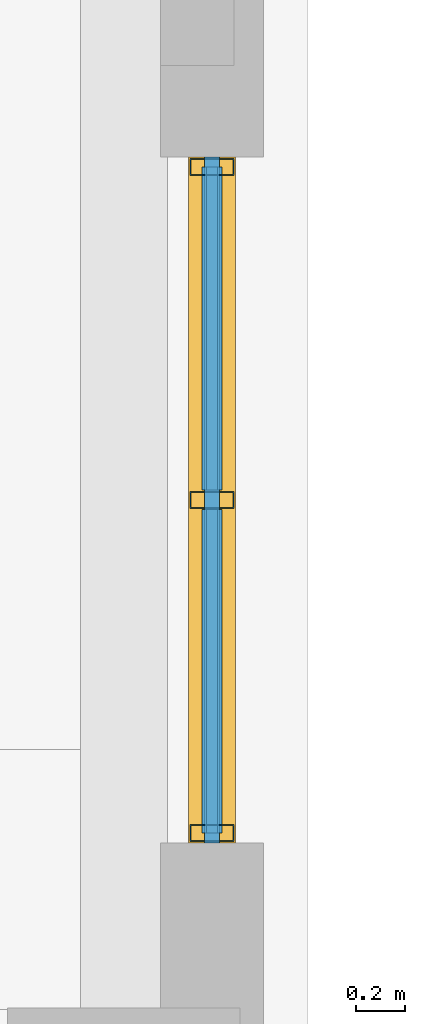
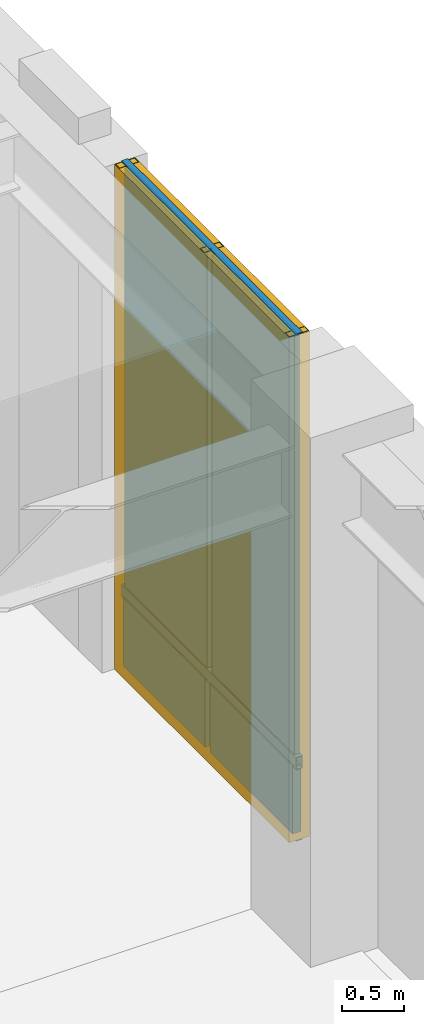
# One storey, part 12 of 18: 6 members, 4 plates, 1 curtain wall.
"""IFC4 building model written with IfcOpenShell, lengths in metres."""

from ifc_helpers import new_model, si_unit, direction, frame, frame_2d, origin, origin_2d, place, context, subcontext, project, spatial, rectangle, hollow_rectangle, extrude, material, layer, layer_set, material_profile, profile_set, type_object, element, aggregate, save


model = new_model("IFC4")

# Units and contexts
model_context = context("Model", 3, precision=1e-05, world=origin(), true_north=direction((0.0, 1.0)))
body_context = subcontext(model_context, "Body", "Model", "MODEL_VIEW")
ifc_project = project(units=[si_unit("LENGTHUNIT", "METRE"), si_unit("AREAUNIT", "SQUARE_METRE"), si_unit("VOLUMEUNIT", "CUBIC_METRE"), si_unit("PLANEANGLEUNIT", "RADIAN"), si_unit("MASSUNIT", "GRAM", prefix="KILO")], contexts=[model_context])

# Member
ifc_material_1 = material(Name="Anodized Aluminium 6063-T6", Category="aluminium")
ifc_material_profile_1 = material_profile(ifc_material_1, hollow_rectangle(XDim=0.070068359375, YDim=0.179931640625, WallThickness=0.00390625, at=origin_2d()), Name="Anodized Aluminium 6063-T6")
ifc_profile_set_1 = profile_set([ifc_material_profile_1], Name="Anodized Aluminium 6063-T6")
member_type_1 = type_object("IfcMemberType", Name="Curtain Wall Mullion 180", PredefinedType="MULLION", material=ifc_profile_set_1)
site_placement = place(None, origin())
building_placement = place(site_placement, origin())
storey_placement = place(building_placement, frame((0.0, 0.0, 150.800048828125)))
member_1_placement = place(storey_placement, frame((38.010009765625, 48.43994140625, 0.0), z_axis=(0.0, 0.0, 1.0), x_axis=(0.0, 1.0, 0.0)))
member_1 = element("IfcMember", 1, at=member_1_placement, type_object=member_type_1, Name="Curtain Wall Mullion CW-L38-E08-2-M01", PredefinedType="MULLION", context=body_context, shape_type="SweptSolid", body=[
    extrude(hollow_rectangle(XDim=0.070068359375, YDim=0.179931640625, WallThickness=0.00390625, at=origin_2d()), origin(), (0.0, 0.0, 1.0), 4.93994140625),
])

member_2_placement = place(storey_placement, frame((38.010009765625, 49.800048828125, 0.0), z_axis=(0.0, 0.0, 1.0), x_axis=(0.0, 1.0, 0.0)))
member_2 = element("IfcMember", 2, at=member_2_placement, type_object=member_type_1, Name="Curtain Wall Mullion CW-L38-E08-2-M02", PredefinedType="MULLION", context=body_context, shape_type="SweptSolid", body=[
    extrude(hollow_rectangle(XDim=0.070068359375, YDim=0.179931640625, WallThickness=0.00390625, at=origin_2d()), origin(), (0.0, 0.0, 1.0), 4.93994140625),
])

member_3_placement = place(storey_placement, frame((38.010009765625, 51.159912109375, 0.0), z_axis=(0.0, 0.0, 1.0), x_axis=(0.0, 1.0, 0.0)))
member_3 = element("IfcMember", 3, at=member_3_placement, type_object=member_type_1, Name="Curtain Wall Mullion CW-L38-E08-2-M03", PredefinedType="MULLION", context=body_context, shape_type="SweptSolid", body=[
    extrude(hollow_rectangle(XDim=0.070068359375, YDim=0.179931640625, WallThickness=0.00390625, at=origin_2d()), origin(), (0.0, 0.0, 1.0), 4.93994140625),
])

ifc_material_profile_2 = material_profile(ifc_material_1, hollow_rectangle(XDim=0.06005859375, YDim=0.1201171875, WallThickness=0.00341796875, at=origin_2d()), Name="Anodized Aluminium 6063-T6")
ifc_profile_set_2 = profile_set([ifc_material_profile_2], Name="Anodized Aluminium 6063-T6")
member_type_2 = type_object("IfcMemberType", Name="Curtain Wall Transom 120", PredefinedType="USERDEFINED", material=ifc_profile_set_2)
member_4_placement = place(storey_placement, frame((38.010009765625, 48.39990234375, 0.050048828125), z_axis=(0.0, 1.0, 0.0), x_axis=(-1.0, 0.0, 0.0)))
member_4 = element("IfcMember", 4, at=member_4_placement, type_object=member_type_2, Name="Curtain Wall Transom CW-L38-E08-2-T01", ObjectType="TRANSOM", PredefinedType="USERDEFINED", context=body_context, shape_type="SweptSolid", body=[
    extrude(hollow_rectangle(XDim=0.06005859375, YDim=0.1201171875, WallThickness=0.00341796875, at=origin_2d()), origin(), (0.0, 0.0, 1.0), 2.800048828125),
])

member_5_placement = place(storey_placement, frame((38.010009765625, 48.39990234375, 0.75), z_axis=(0.0, 1.0, 0.0), x_axis=(-1.0, 0.0, 0.0)))
member_5 = element("IfcMember", 5, at=member_5_placement, type_object=member_type_2, Name="Curtain Wall Transom CW-L38-E08-2-T02", ObjectType="TRANSOM", PredefinedType="USERDEFINED", context=body_context, shape_type="SweptSolid", body=[
    extrude(hollow_rectangle(XDim=0.06005859375, YDim=0.1201171875, WallThickness=0.00341796875, at=origin_2d()), origin(), (0.0, 0.0, 1.0), 2.800048828125),
])

member_6_placement = place(storey_placement, frame((38.010009765625, 48.39990234375, 4.889892578125), z_axis=(0.0, 1.0, 0.0), x_axis=(-1.0, 0.0, 0.0)))
member_6 = element("IfcMember", 6, at=member_6_placement, type_object=member_type_2, Name="Curtain Wall Transom CW-L38-E08-2-T03", ObjectType="TRANSOM", PredefinedType="USERDEFINED", context=body_context, shape_type="SweptSolid", body=[
    extrude(hollow_rectangle(XDim=0.06005859375, YDim=0.1201171875, WallThickness=0.00341796875, at=origin_2d()), origin(), (0.0, 0.0, 1.0), 2.800048828125),
])

# Plate
ifc_material_2 = material(Name="Triple Low-E Argon Glazing", Category="glass")
ifc_layer_1 = layer(ifc_material_2, 0.0439453125, Name="Triple Low-E Argon Glazing")
ifc_layer_set_1 = layer_set([ifc_layer_1], Name="Triple Low-E Argon Glazing")
plate_type_1 = type_object("IfcPlateType", Name="Plate CWGlazing 44", PredefinedType="CURTAIN_PANEL", material=ifc_layer_set_1)
plate_1_placement = place(storey_placement, frame((38.010009765625, 49.10009765625, 0.7900390625), z_axis=(0.0, 0.0, 1.0), x_axis=(0.0, 1.0, 0.0)))
plate_1 = element("IfcPlate", 7, at=plate_1_placement, type_object=plate_type_1, Name="Vision Glazing Panel CW-L38-E08-2-GL01", PredefinedType="CURTAIN_PANEL", context=body_context, shape_type="SweptSolid", body=[
    extrude(rectangle(XDim=1.320068359375, YDim=0.0439453125, at=origin_2d()), origin(), (0.0, 0.0, 1.0), 4.110107421875),
])

plate_2_placement = place(storey_placement, frame((38.010009765625, 50.5, 0.7900390625), z_axis=(0.0, 0.0, 1.0), x_axis=(0.0, 1.0, 0.0)))
plate_2 = element("IfcPlate", 8, at=plate_2_placement, type_object=plate_type_1, Name="Vision Glazing Panel CW-L38-E08-2-GL02", PredefinedType="CURTAIN_PANEL", context=body_context, shape_type="SweptSolid", body=[
    extrude(rectangle(XDim=1.320068359375, YDim=0.0439453125, at=origin_2d()), origin(), (0.0, 0.0, 1.0), 4.110107421875),
])

ifc_material_3 = material(Name="Insulated Aluminium Spandrel Panel", Category="aluminium")
ifc_layer_2 = layer(ifc_material_3, 0.080078125, Name="Insulated Aluminium Spandrel Panel")
ifc_layer_set_2 = layer_set([ifc_layer_2], Name="Insulated Aluminium Spandrel Panel")
plate_type_2 = type_object("IfcPlateType", Name="Plate CWSpandrel 80", PredefinedType="SHEET", material=ifc_layer_set_2)
plate_3_placement = place(storey_placement, frame((38.010009765625, 49.10009765625, 0.0400390625), z_axis=(0.0, 0.0, 1.0), x_axis=(0.0, 1.0, 0.0)))
plate_3 = element("IfcPlate", 9, at=plate_3_placement, type_object=plate_type_2, Name="Spandrel Panel CW-L38-E08-2-SP01", PredefinedType="SHEET", context=body_context, shape_type="SweptSolid", body=[
    extrude(rectangle(XDim=1.320068359375, YDim=0.080078125, at=origin_2d()), origin(), (0.0, 0.0, 1.0), 0.669921875),
])

plate_4_placement = place(storey_placement, frame((38.010009765625, 50.5, 0.0400390625), z_axis=(0.0, 0.0, 1.0), x_axis=(0.0, 1.0, 0.0)))
plate_4 = element("IfcPlate", 10, at=plate_4_placement, type_object=plate_type_2, Name="Spandrel Panel CW-L38-E08-2-SP02", PredefinedType="SHEET", context=body_context, shape_type="SweptSolid", body=[
    extrude(rectangle(XDim=1.320068359375, YDim=0.080078125, at=origin_2d()), origin(), (0.0, 0.0, 1.0), 0.669921875),
])

# Site, building, storey
site = spatial("IfcSite", under=ifc_project, at=site_placement, CompositionType="ELEMENT")
building = spatial("IfcBuilding", under=site, at=building_placement, Name="Norrvale University Quadrangle", CompositionType="ELEMENT")
storey = spatial("IfcBuildingStorey", under=building, at=storey_placement, Name="L38", CompositionType="ELEMENT", Elevation=150.800048828125)

# Curtain wall
ifc_material_4 = material(Name="Anodized Aluminium and Triple Glazing", Category="glass")
curtain_wall_type = type_object("IfcCurtainWallType", Name="Curtain Wall System 3 Sky Lobby", PredefinedType="NOTDEFINED", material=ifc_material_4)
curtain_wall_placement = place(storey_placement, frame((38.010009765625, 48.39990234375, 0.0), z_axis=(0.0, 0.0, 1.0), x_axis=(0.0, 1.0, 0.0)))
curtain_wall = element("IfcCurtainWall", 11, at=curtain_wall_placement, inside=storey, type_object=curtain_wall_type, Name="Curtain Wall CW System 3 Sky Lobby CW-L38-E08-2", PredefinedType="NOTDEFINED", context=body_context, shape_type="SweptSolid", body=[
    extrude(rectangle(XDim=2.800048828125, YDim=0.18994140625, at=frame_2d((1.39990234375, 0.0))), origin(), (0.0, 0.0, 1.0), 4.93994140625),
])

aggregate(curtain_wall, [member_1, member_2, member_3, member_4, member_5, member_6, plate_3, plate_1, plate_4, plate_2])

save(model, "model.ifc")
